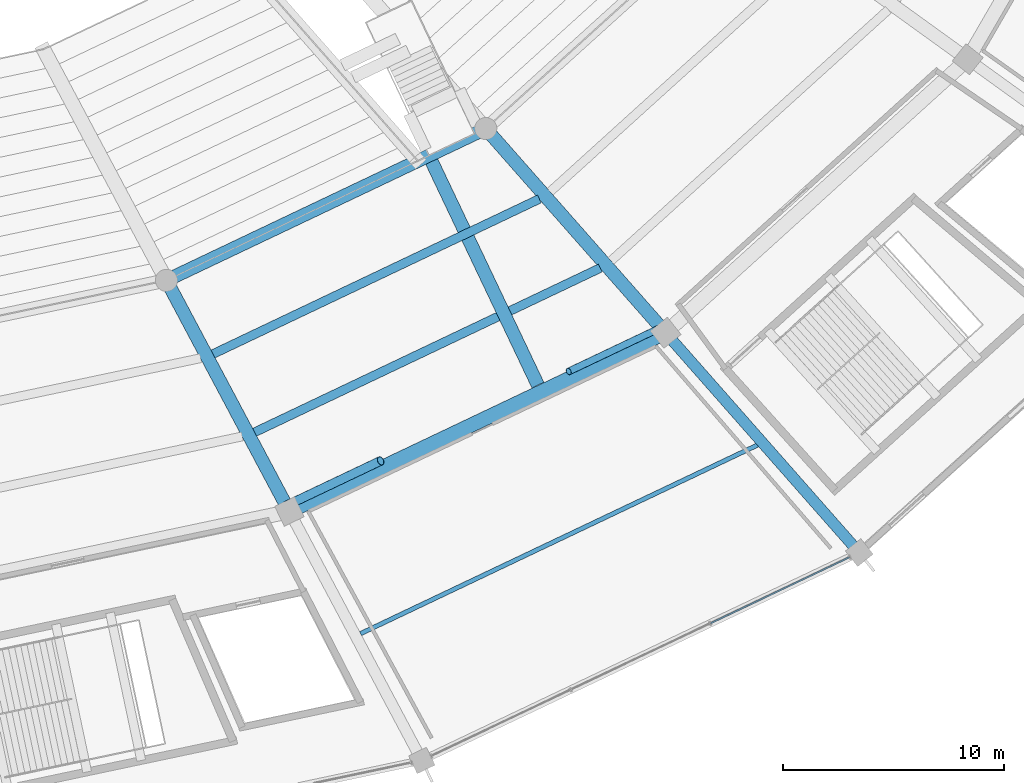
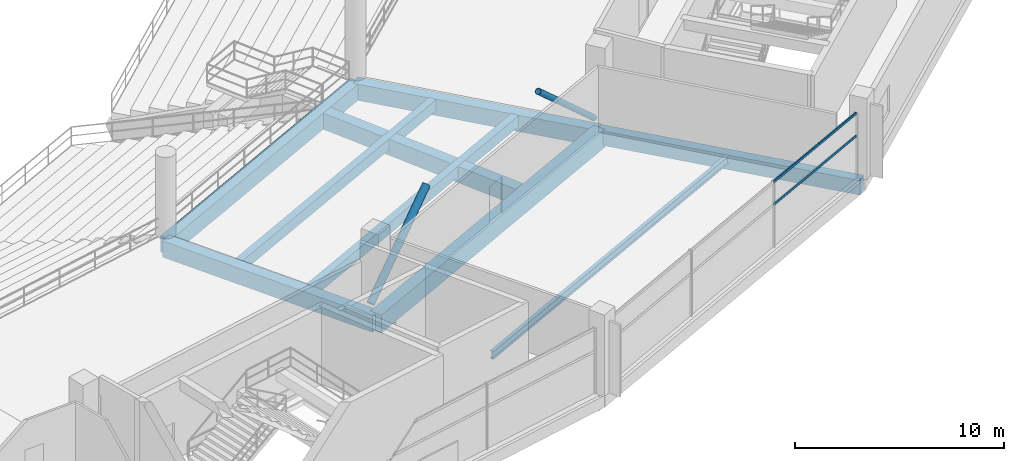
# One storey, part 46 of 156: 9 beams, 4 members, 1 element without a shape of its own.
"""IFC4 building model written with IfcOpenShell, lengths in metres."""

from ifc_helpers import new_model, si_unit, direction, frame, origin, origin_2d, place, context, subcontext, project, spatial, rectangle, hollow_rectangle, hollow_circle, i_section, extrude, material, layer, layer_set, material_profile, profile_set, type_object, element, aggregate, save


model = new_model("IFC4")

# Units and contexts
model_context = context("Model", 3, precision=1e-05, world=origin(), true_north=direction((0.0, 1.0)))
body_context = subcontext(model_context, "Body", "Model", "MODEL_VIEW")
ifc_project = project(units=[si_unit("LENGTHUNIT", "METRE"), si_unit("AREAUNIT", "SQUARE_METRE"), si_unit("VOLUMEUNIT", "CUBIC_METRE"), si_unit("PLANEANGLEUNIT", "RADIAN"), si_unit("MASSUNIT", "GRAM", prefix="KILO")], contexts=[model_context])

# Site, building, storey
site_placement = place(None, origin())
site = spatial("IfcSite", under=ifc_project, at=site_placement, CompositionType="ELEMENT")
building_placement = place(site_placement, origin())
building = spatial("IfcBuilding", under=site, at=building_placement, Name="Kazemori Nagisa Stadium", CompositionType="ELEMENT")
storey_placement = place(building_placement, frame((0.0, 0.0, 5.780029296875)))
storey = spatial("IfcBuildingStorey", under=building, at=storey_placement, Name="L01", CompositionType="ELEMENT", Elevation=5.780029296875)

# Beams
ifc_material_1 = material(Name="Concrete C40/50 (Fc42)", Category="concrete")
ifc_material_profile_1 = material_profile(ifc_material_1, rectangle(XDim=0.5, YDim=0.85009765625, at=origin_2d()), Name="RC-BM-500x850")
ifc_profile_set_1 = profile_set([ifc_material_profile_1], Name="Concrete C40/50 (Fc42)")
beam_type_1 = type_object("IfcBeamType", Name="Beam_BG-RC500X850", PredefinedType="BEAM", material=ifc_profile_set_1)
beam_1_placement = place(storey_placement, frame((176.834228515625, 40.88916015625, -0.705078125), z_axis=(0.661019680997, -0.750368563664, 0.0), x_axis=(0.750368563664, 0.661019680997, 0.0)))
element("IfcBeam", 1, at=beam_1_placement, inside=storey, type_object=beam_type_1, Name="Radial girder BG-RC500X850 L01 R2-R3-25", PredefinedType="BEAM", context=body_context, shape_type="SweptSolid", body=[
    extrude(rectangle(XDim=0.5, YDim=0.85009765625, at=origin_2d()), origin(), (0.0, 0.0, 1.0), 13.2578125),
])
ifc_material_profile_2 = material_profile(ifc_material_1, rectangle(XDim=0.60009765625, YDim=0.949951171875, at=origin_2d()), Name="RC-BM-600x950")
ifc_profile_set_2 = profile_set([ifc_material_profile_2], Name="Concrete C40/50 (Fc42)")
beam_type_2 = type_object("IfcBeamType", Name="Beam_BG-RC600X950", PredefinedType="BEAM", material=ifc_profile_set_2)
beam_2_placement = place(storey_placement, frame((154.24755859375, 43.260986328125, -0.755126953125), z_axis=(0.903211989129, 0.429194714196, 0.0), x_axis=(-0.429194714196, 0.903211989129, 0.0)))
element("IfcBeam", 2, at=beam_2_placement, inside=storey, type_object=beam_type_2, Name="Ring girder BG-RC600X950 L01 R1-24", PredefinedType="BEAM", context=body_context, shape_type="SweptSolid", body=[
    extrude(rectangle(XDim=0.60009765625, YDim=0.949951171875, at=origin_2d()), origin(), (0.0, 0.0, 1.0), 15.997314453125),
])
beam_3_placement = place(storey_placement, frame((154.24755859375, 43.260986328125, -0.755126953125), z_axis=(0.469646804203, -0.882854393036, 0.0), x_axis=(0.882854393036, 0.469646804203, 0.0)))
element("IfcBeam", 3, at=beam_3_placement, inside=storey, type_object=beam_type_2, Name="Radial girder BG-RC600X950 L01 R1-R2-24", PredefinedType="BEAM", context=body_context, shape_type="SweptSolid", body=[
    extrude(rectangle(XDim=0.60009765625, YDim=0.949951171875, at=origin_2d()), origin(), (0.0, 0.0, 1.0), 11.84814453125),
])
beam_4_placement = place(storey_placement, frame((168.696533203125, 50.126953125, -0.755126953125), z_axis=(0.66101406015, -0.75037351518, 0.0), x_axis=(0.75037351518, 0.66101406015, 0.0)))
element("IfcBeam", 4, at=beam_4_placement, inside=storey, type_object=beam_type_2, Name="Radial girder BG-RC600X950 L01 R1-R2-25", PredefinedType="BEAM", context=body_context, shape_type="SweptSolid", body=[
    extrude(rectangle(XDim=0.60009765625, YDim=0.949951171875, at=origin_2d()), origin(), (0.0, 0.0, 1.0), 12.31103515625),
])
beam_5_placement = place(storey_placement, frame((166.2490234375, 48.63720703125, -0.755126953125), z_axis=(0.429189743639, -0.903214351057, 0.0), x_axis=(0.903214351057, 0.429189743639, 0.0)))
element("IfcBeam", 5, at=beam_5_placement, inside=storey, type_object=beam_type_2, Name="Lower vomitory right backspan girder B24", PredefinedType="BEAM", context=body_context, shape_type="SweptSolid", body=[
    extrude(rectangle(XDim=0.60009765625, YDim=0.949951171875, at=origin_2d()), origin(), (0.0, 0.0, 1.0), 11.200927734375),
])
ifc_material_profile_3 = material_profile(ifc_material_1, rectangle(XDim=0.64990234375, YDim=1.050048828125, at=origin_2d()), Name="RC-BM-650x1050")
ifc_profile_set_3 = profile_set([ifc_material_profile_3], Name="Concrete C40/50 (Fc42)")
beam_type_3 = type_object("IfcBeamType", Name="Beam_BG-RC650X1050", PredefinedType="BEAM", material=ifc_profile_set_3)
beam_6_placement = place(storey_placement, frame((159.81201171875, 32.80078125, -0.804931640625), z_axis=(0.90321938295, 0.42917915404, 0.0), x_axis=(-0.42917915404, 0.90321938295, 0.0)))
element("IfcBeam", 6, at=beam_6_placement, inside=storey, type_object=beam_type_3, Name="Ring girder BG-RC650X1050 L01 R2-24", PredefinedType="BEAM", context=body_context, shape_type="SweptSolid", body=[
    extrude(rectangle(XDim=0.64990234375, YDim=1.050048828125, at=origin_2d()), origin(), (0.0, 0.0, 1.0), 18.84619140625),
])
ifc_material_2 = material(Name="Steel SN490B", Category="steel")
ifc_material_profile_4 = material_profile(ifc_material_2, i_section(OverallWidth=0.199951171875, OverallDepth=0.449951171875, WebThickness=0.009033203125, FlangeThickness=0.013916015625, FilletRadius=0.012939453125, at=origin_2d()), Name="H-450x200x9x14")
ifc_profile_set_4 = profile_set([ifc_material_profile_4], Name="Steel SN490B")
beam_type_4 = type_object("IfcBeamType", Name="Beam_BJ-H450", PredefinedType="JOIST", material=ifc_profile_set_4)
beam_7_placement = place(storey_placement, frame((163.02978515625, 27.2734375, -0.505126953125), z_axis=(0.903215058486, 0.429188254876, 0.0), x_axis=(-0.429188254876, 0.903215058486, 0.0)))
element("IfcBeam", 7, at=beam_7_placement, inside=storey, type_object=beam_type_4, Name="Outer bay joist BJ-H450 L01 B24", PredefinedType="JOIST", context=body_context, shape_type="SweptSolid", body=[
    extrude(i_section(OverallWidth=0.199951171875, OverallDepth=0.449951171875, WebThickness=0.009033203125, FlangeThickness=0.013916015625, FilletRadius=0.012939453125, at=origin_2d()), origin(), (0.0, 0.0, 1.0), 19.89013671875),
])
ifc_material_profile_5 = material_profile(ifc_material_1, rectangle(XDim=0.39990234375, YDim=0.64990234375, at=origin_2d()), Name="RC-BM-400x650")
ifc_profile_set_5 = profile_set([ifc_material_profile_5], Name="Concrete C40/50 (Fc42)")
beam_type_5 = type_object("IfcBeamType", Name="Beam_BJ-RC400X650", PredefinedType="JOIST", material=ifc_profile_set_5)
beam_8_placement = place(storey_placement, frame((156.3544921875, 39.927734375, -0.60498046875), z_axis=(0.903215717065, 0.429186868912, 0.0), x_axis=(-0.429186868912, 0.903215717065, 0.0)))
element("IfcBeam", 8, at=beam_8_placement, inside=storey, type_object=beam_type_5, Name="Concourse joist BJ-RC400X650 L01 B24-1", PredefinedType="JOIST", context=body_context, shape_type="SweptSolid", body=[
    extrude(rectangle(XDim=0.39990234375, YDim=0.64990234375, at=origin_2d()), origin(), (0.0, 0.0, 1.0), 16.349609375),
])
beam_9_placement = place(storey_placement, frame((158.23779296875, 36.38720703125, -0.60498046875), z_axis=(0.903215468459, 0.429187392099, 0.0), x_axis=(-0.429187392099, 0.903215468459, 0.0)))
element("IfcBeam", 9, at=beam_9_placement, inside=storey, type_object=beam_type_5, Name="Concourse joist BJ-RC400X650 L01 B24-2", PredefinedType="JOIST", context=body_context, shape_type="SweptSolid", body=[
    extrude(rectangle(XDim=0.39990234375, YDim=0.64990234375, at=origin_2d()), origin(), (0.0, 0.0, 1.0), 17.31396484375),
])

# Members
ifc_material_3 = material(Name="Steel STK490", Category="steel")
ifc_material_profile_6 = material_profile(ifc_material_3, hollow_circle(Radius=0.1591796875, WallThickness=0.01025390625, at=origin_2d()), Name="CHS-318.5x10.3")
ifc_profile_set_6 = profile_set([ifc_material_profile_6], Name="Steel STK490")
member_type_1 = type_object("IfcMemberType", Name="Member_TB-CHS318", PredefinedType="BRACE", material=ifc_profile_set_6)
member_1_placement = place(storey_placement, frame((176.70556640625, 41.16015625, 0.14990234375), z_axis=(-0.66997778581, -0.318326890143, 0.670669633675), x_axis=(0.429152995666, -0.903231812057, 0.0)))
element("IfcMember", 10, at=member_1_placement, inside=storey, type_object=member_type_1, Name="Seismic brace TB-CHS318 L01 B24-B", PredefinedType="BRACE", context=body_context, shape_type="SweptSolid", body=[
    extrude(hollow_circle(Radius=0.1591796875, WallThickness=0.01025390625, at=origin_2d()), origin(), (0.0, 0.0, 1.0), 6.351806640625),
])
ifc_material_profile_7 = material_profile(ifc_material_3, hollow_circle(Radius=0.203125, WallThickness=0.014404296875, at=origin_2d()), Name="CHS-406.4x14.3")
ifc_profile_set_7 = profile_set([ifc_material_profile_7], Name="Steel STK490")
member_type_2 = type_object("IfcMemberType", Name="Member_TB-CHS406", PredefinedType="BRACE", material=ifc_profile_set_7)
member_2_placement = place(storey_placement, frame((159.683349609375, 33.07177734375, 0.14990234375), z_axis=(0.66997778581, 0.318326890143, 0.670669633675), x_axis=(-0.429152995666, 0.903231812057, 0.0)))
element("IfcMember", 11, at=member_2_placement, inside=storey, type_object=member_type_2, Name="Seismic brace TB-CHS355 L01 B24-A", PredefinedType="BRACE", context=body_context, shape_type="SweptSolid", body=[
    extrude(hollow_circle(Radius=0.203125, WallThickness=0.014404296875, at=origin_2d()), origin(), (0.0, 0.0, 1.0), 6.351806640625),
])

# Curtain wall, members
ifc_material_4 = material(Name="Anodised aluminium 6063-T5", Category="aluminium")
ifc_layer = layer(ifc_material_4, 0.179931640625, Name="Anodised aluminium 6063-T5", Category="aluminium")
ifc_layer_set = layer_set([ifc_layer], Name="Anodised aluminium 6063-T5")
curtain_wall_type = type_object("IfcCurtainWallType", Name="CW_L01R3_105", PredefinedType="USERDEFINED", material=ifc_layer_set)
curtain_wall_placement = place(storey_placement, origin())
curtain_wall = element("IfcCurtainWall", 12, at=curtain_wall_placement, inside=storey, type_object=curtain_wall_type, Name="Unitised curtain wall CW-L01R3-105 L01", ObjectType="UNITISED CURTAIN WALL", PredefinedType="USERDEFINED")
ifc_material_5 = material(Name="Aluminium 6063-T5 anodised", Category="aluminium")
ifc_material_profile_8 = material_profile(ifc_material_5, hollow_rectangle(XDim=0.070068359375, YDim=0.139892578125, WallThickness=0.00390625, at=origin_2d()), Name="ALU-TRAN-70x140x4")
ifc_profile_set_8 = profile_set([ifc_material_profile_8], Name="Aluminium 6063-T5 anodised")
member_type_3 = type_object("IfcMemberType", Name="Transom_T01", PredefinedType="USERDEFINED", material=ifc_profile_set_8)
member_3_placement = place(storey_placement, frame((178.875244140625, 27.74658203125, 2.4638671875), z_axis=(0.903221322461, 0.429175072264, 0.0), x_axis=(-0.429175072264, 0.903221322461, 0.0)))
member_3 = element("IfcMember", 13, at=member_3_placement, type_object=member_type_3, Name="Curtain wall transom CW-L01R3-105-T3-mid", ObjectType="TRANSOM", PredefinedType="USERDEFINED", context=body_context, shape_type="SweptSolid", body=[
    extrude(hollow_rectangle(XDim=0.070068359375, YDim=0.139892578125, WallThickness=0.00390625, at=origin_2d()), origin(), (0.0, 0.0, 1.0), 6.947998046875),
])
member_4_placement = place(storey_placement, frame((178.875244140625, 27.74658203125, 3.780029296875), z_axis=(0.903221322461, 0.429175072264, 0.0), x_axis=(-0.429175072264, 0.903221322461, 0.0)))
member_4 = element("IfcMember", 14, at=member_4_placement, type_object=member_type_3, Name="Curtain wall transom CW-L01R3-105-T3-head", ObjectType="TRANSOM", PredefinedType="USERDEFINED", context=body_context, shape_type="SweptSolid", body=[
    extrude(hollow_rectangle(XDim=0.070068359375, YDim=0.139892578125, WallThickness=0.00390625, at=origin_2d()), origin(), (0.0, 0.0, 1.0), 6.947998046875),
])
aggregate(curtain_wall, [member_3, member_4])

save(model, "model.ifc")
